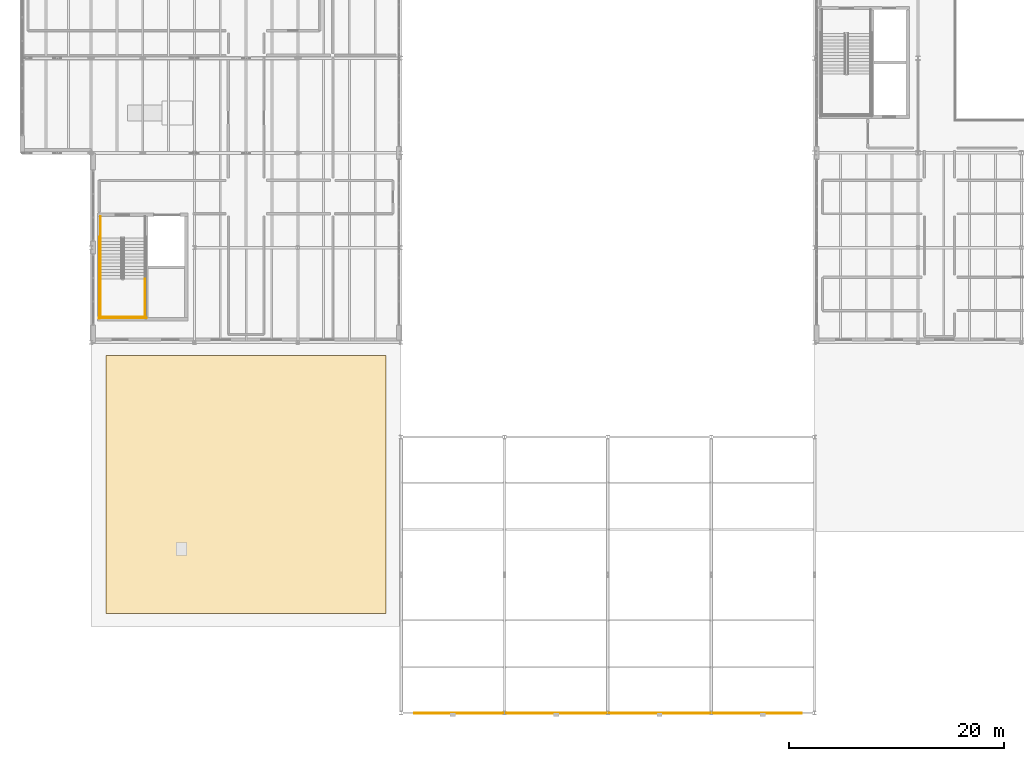
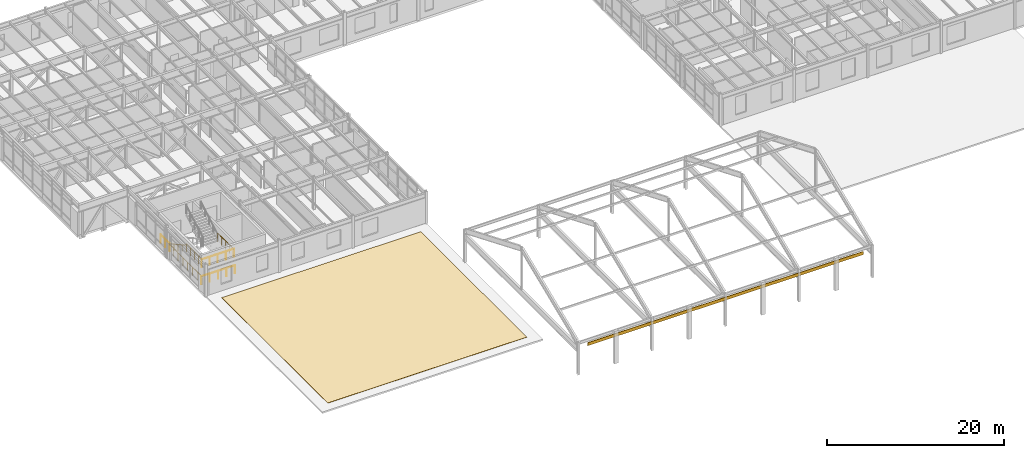
# One storey, part 78 of 88: 7 railings, 2 coverings.
"""IFC4 building model written with IfcOpenShell, lengths in metres."""

import ifcopenshell
import ifcopenshell.guid

model = None  # the IFC model being written
_history = None  # IfcOwnerHistory: only IFC2X3 demands one
_inside = {}  # id of a spatial element -> (the spatial element, [elements in it])
_under = {}  # id of a project, library or spatial element -> (it, [spatial elements below it])
_declared = {}  # id of a project -> (the project, [libraries it declares])
_typed = {}  # id of a type object -> (the type object, [elements of that type])
_made_of = {}  # id of a material, layer set ... -> (it, [elements and type objects made of it])


def new_model(schema):
    """Start an empty IFC model of exactly this schema.

    Asked for "IFC4X3", IfcOpenShell would pick the latest addendum, in which some entities
    have other attributes; the version numbers below select the first issue.
    IFC2X3 requires an IfcOwnerHistory on every rooted entity: one is made here for all.
    """
    global model, _history
    if schema == "IFC4X3":
        model = ifcopenshell.file(schema_version=(4, 3, 0, 0))
    else:
        model = ifcopenshell.file(schema=schema)
    _inside.clear()
    _under.clear()
    _declared.clear()
    _typed.clear()
    _made_of.clear()
    _history = None
    if model.schema == "IFC2X3":
        org = make("IfcOrganization", Name="unknown")
        user = make(
            "IfcPersonAndOrganization",
            ThePerson=make("IfcPerson", FamilyName="unknown"),
            TheOrganization=org,
        )
        app = make(
            "IfcApplication",
            ApplicationDeveloper=org,
            Version="unknown",
            ApplicationFullName="unknown",
            ApplicationIdentifier="unknown",
        )
        _history = make(
            "IfcOwnerHistory",
            OwningUser=user,
            OwningApplication=app,
            ChangeAction="ADDED",
            CreationDate=0,
        )
    return model


def make(cls, **values):
    """One entity of the class cls with the attributes given. An attribute that is None is left unset."""
    return model.create_entity(
        cls, **{name: value for name, value in values.items() if value is not None}
    )


def rooted(cls, **values):
    """An entity with a GlobalId (a new one), such as an element, a storey or a relation."""
    return make(cls, GlobalId=ifcopenshell.guid.new(), OwnerHistory=_history, **values)


def si_unit(unit_type, name, prefix=None):
    """IfcSIUnit, for example si_unit("LENGTHUNIT", "METRE", prefix="MILLI")."""
    return make("IfcSIUnit", UnitType=unit_type, Prefix=prefix, Name=name)


def assignment(units):
    """IfcUnitAssignment: the units of a project."""
    return None if units is None else make("IfcUnitAssignment", Units=units)


def point(xyz):
    """IfcCartesianPoint."""
    return None if xyz is None else make("IfcCartesianPoint", Coordinates=xyz)


def direction(xyz):
    """IfcDirection."""
    return None if xyz is None else make("IfcDirection", DirectionRatios=xyz)


def frame(location, z_axis=None, x_axis=None):
    """IfcAxis2Placement3D, a coordinate frame: its origin and axes. An axis left out is left unset."""
    return make(
        "IfcAxis2Placement3D",
        Location=point(location),
        Axis=direction(z_axis),
        RefDirection=direction(x_axis),
    )


def frame_2d(location, x_axis=None):
    """IfcAxis2Placement2D, a coordinate frame in the plane: its origin and x axis."""
    return make(
        "IfcAxis2Placement2D", Location=point(location), RefDirection=direction(x_axis)
    )


def origin():
    """The frame at (0, 0, 0) with its axes left unset."""
    return frame((0.0, 0.0, 0.0))


def origin_2d():
    """The frame at (0, 0) in the plane with its x axis left unset."""
    return frame_2d((0.0, 0.0))


def place(relative_to, where):
    """IfcLocalPlacement: puts the frame where relative to a parent placement (None: the world)."""
    return make(
        "IfcLocalPlacement", PlacementRelTo=relative_to, RelativePlacement=where
    )


def context(
    kind, dimensions, precision=None, world=None, true_north=None, identifier=None
):
    """IfcGeometricRepresentationContext, for example the 3D "Model" context."""
    return make(
        "IfcGeometricRepresentationContext",
        ContextIdentifier=identifier,
        ContextType=kind,
        CoordinateSpaceDimension=dimensions,
        Precision=precision,
        WorldCoordinateSystem=world,
        TrueNorth=true_north,
    )


def subcontext(parent, identifier, kind, view, scale=None):
    """IfcGeometricRepresentationSubContext, for example "Body" below "Model"."""
    return make(
        "IfcGeometricRepresentationSubContext",
        ContextIdentifier=identifier,
        ContextType=kind,
        ParentContext=parent,
        TargetScale=scale,
        TargetView=view,
    )


def project(units=None, contexts=None):
    """IfcProject with its units and contexts."""
    return rooted(
        "IfcProject",
        Name="project",
        RepresentationContexts=contexts,
        UnitsInContext=assignment(units),
    )


def spatial(cls, under=None, at=None, **own):
    """A site, building, storey or space (cls), placed at a placement, below another one or the project."""
    s = rooted(cls, ObjectPlacement=at, **own)
    if under is not None:
        _under.setdefault(under.id(), (under, []))[1].append(s)
    return s


def profile(cls, at=None, kind="AREA", **sizes):
    """A parametric profile (cls). Its sizes go by their IFC names, for example OverallWidth=200.0."""
    return make(cls, ProfileType=kind, Position=at, **sizes)


def rectangle(**sizes):
    """IfcRectangleProfileDef."""
    return profile("IfcRectangleProfileDef", **sizes)


def circle(**sizes):
    """IfcCircleProfileDef."""
    return profile("IfcCircleProfileDef", **sizes)


def extrude(swept, where, along, depth):
    """IfcExtrudedAreaSolid: the profile swept, set in the frame where, extruded along a direction by depth."""
    return make(
        "IfcExtrudedAreaSolid",
        SweptArea=swept,
        Position=where,
        ExtrudedDirection=direction(along),
        Depth=depth,
    )


def shape(context_of_items, identifier, shape_type, items):
    """IfcShapeRepresentation: the items that make up one representation, for example the "Body"."""
    return make(
        "IfcShapeRepresentation",
        ContextOfItems=context_of_items,
        RepresentationIdentifier=identifier,
        RepresentationType=shape_type,
        Items=items,
    )


def material(Name=None, Category=None):
    """IfcMaterial."""
    return make("IfcMaterial", Name=Name, Category=Category)


def layer(
    of_material, thickness, ventilated=None, Name=None, Category=None, Priority=None
):
    """IfcMaterialLayer: one layer of a wall or slab, of a material (None: an air gap)."""
    return make(
        "IfcMaterialLayer",
        Material=of_material,
        LayerThickness=thickness,
        IsVentilated=ventilated,
        Name=Name,
        Category=Category,
        Priority=Priority,
    )


def layer_set(layers, Name=None):
    """IfcMaterialLayerSet."""
    return make("IfcMaterialLayerSet", MaterialLayers=layers, LayerSetName=Name)


def made_of(thing, what):
    """Note that an element or type object is made of a material, layer set ...; save() writes the relation."""
    if what is not None:
        _made_of.setdefault(what.id(), (what, []))[1].append(thing)
    return thing


def type_object(cls, material=None, **own):
    """A type object (cls), such as IfcWallType, which elements share."""
    return made_of(rooted(cls, **own), material)


def element(
    cls,
    number,
    at=None,
    inside=None,
    cuts=None,
    type_object=None,
    material=None,
    context=None,
    identifier="Body",
    shape_type=None,
    held_by="IfcProductDefinitionShape",
    body=None,
    shapes=None,
    **own,
):
    """One element of the class cls, such as IfcWall. Its Tag is "e" and its number.

    at: its placement. inside: the storey or other place that contains it. cuts: it is an
    opening in that element (IfcRelVoidsElement). A single representation is given by context,
    identifier, shape_type and body (its items); several are given by shapes. held_by: the class
    of the entity that holds the representations. save() writes the other relations.
    """
    e = rooted(cls, Tag="e%d" % number, ObjectPlacement=at, **own)
    if body is not None:
        shapes = [shape(context, identifier, shape_type, body)]
    if shapes is not None:
        e.Representation = make(held_by, Representations=shapes)
    if inside is not None:
        _inside.setdefault(inside.id(), (inside, []))[1].append(e)
    if cuts is not None:
        rooted(
            "IfcRelVoidsElement", RelatingBuildingElement=cuts, RelatedOpeningElement=e
        )
    if type_object is not None:
        _typed.setdefault(type_object.id(), (type_object, []))[1].append(e)
    return made_of(e, material)


def aggregate(whole, parts):
    """IfcRelAggregates: a whole, such as a stair, and the parts it consists of."""
    return rooted("IfcRelAggregates", RelatingObject=whole, RelatedObjects=parts)


def save(model, path):
    """Write the relations noted so far, then the file.

    IfcRelAggregates (storeys below a building ...), IfcRelContainedInSpatialStructure (elements
    in a storey), IfcRelDefinesByType, IfcRelAssociatesMaterial and IfcRelDeclares: one each for
    every whole, place, type object, material and project.
    """
    for whole, parts in _under.values():
        aggregate(whole, parts)
    for where, things in _inside.values():
        rooted(
            "IfcRelContainedInSpatialStructure",
            RelatedElements=things,
            RelatingStructure=where,
        )
    for kind, things in _typed.values():
        rooted("IfcRelDefinesByType", RelatedObjects=things, RelatingType=kind)
    for what, things in _made_of.values():
        rooted("IfcRelAssociatesMaterial", RelatedObjects=things, RelatingMaterial=what)
    for by, libraries in _declared.values():
        rooted("IfcRelDeclares", RelatingContext=by, RelatedDefinitions=libraries)
    model.write(path)


model = new_model("IFC4")

# Units and contexts
model_context = context("Model", 3, precision=1e-05, world=origin(), true_north=direction((0.0, 1.0)))
body_context = subcontext(model_context, "Body", "Model", "MODEL_VIEW")
ifc_project = project(units=[si_unit("LENGTHUNIT", "METRE"), si_unit("AREAUNIT", "SQUARE_METRE"), si_unit("VOLUMEUNIT", "CUBIC_METRE"), si_unit("PLANEANGLEUNIT", "RADIAN"), si_unit("MASSUNIT", "GRAM", prefix="KILO")], contexts=[model_context])

# Site, building, storey
site_placement = place(None, origin())
site = spatial("IfcSite", under=ifc_project, at=site_placement, CompositionType="ELEMENT")
building_placement = place(site_placement, origin())
building = spatial("IfcBuilding", under=site, at=building_placement, Name="Sarnbrook Museum", CompositionType="ELEMENT")
storey_placement = place(building_placement, frame((0.0, 0.0, 10.10009765625)))
storey = spatial("IfcBuildingStorey", under=building, at=storey_placement, Name="L02", CompositionType="ELEMENT", Elevation=10.10009765625)

# Covering
ifc_material_1 = material(Name="Barrabool Sandstone Ashlar Cladding", Category="masonry")
ifc_layer_1 = layer(ifc_material_1, 0.074951171875)
ifc_layer_set_1 = layer_set([ifc_layer_1], Name="Barrabool Sandstone Ashlar Cladding")
covering_type_1 = type_object("IfcCoveringType", Name="Cladding_SandstoneCornice", PredefinedType="CLADDING", material=ifc_layer_set_1)
covering_1_placement = place(storey_placement, frame((61.60009765625, 4.764892578125, 3.5400390625), z_axis=(0.0, 0.0, 1.0), x_axis=(1.0, 0.0, 0.0)))
element("IfcCovering", 1, at=covering_1_placement, inside=storey, type_object=covering_type_1, Name="Classical Dressed Sandstone Entablature Cornice CL-1", PredefinedType="CLADDING", context=body_context, shape_type="SweptSolid", body=[
    extrude(rectangle(XDim=36.0, YDim=0.080078125, at=origin_2d()), origin(), (0.0, 0.0, 1.0), 0.419921875),
])

# Railings
ifc_material_2 = material(Name="Brushed Stainless Steel Grade 316", Category="steel")
ifc_layer_2 = layer(ifc_material_2, 0.050048828125)
ifc_layer_set_2 = layer_set([ifc_layer_2], Name="Brushed Stainless Steel Grade 316")
railing_type_1 = type_object("IfcRailingType", Name="Guard_Int1120", PredefinedType="BALUSTRADE", material=ifc_layer_set_2)
for number, where, name in (
    (2, (14.489990234375, 45.110107421875, 2.25), "L02 ST5 stair guard 3"),
    (3, (18.590087890625, 45.110107421875, 2.25), "L02 ST5 stair guard 4"),
):
    element("IfcRailing", number, at=place(storey_placement, frame(where)), inside=storey, type_object=railing_type_1, Name=name, PredefinedType="BALUSTRADE", context=body_context, shape_type="SweptSolid", body=[
        extrude(circle(Radius=0.02392578125, at=origin_2d()), frame((0.0, 0.0, 1.09619140625), z_axis=(0.0, -1.0, 0.0), x_axis=(1.0, 0.0, 0.0)), (0.0, 0.0, 1.0), 3.610107421875),
        extrude(circle(Radius=0.02099609375, at=origin_2d()), origin(), (0.0, 0.0, 1.0), 1.072021484375),
        extrude(circle(Radius=0.02099609375, at=origin_2d()), frame((0.0, -0.902587890625, 0.0)), (0.0, 0.0, 1.0), 1.072021484375),
        extrude(circle(Radius=0.02099609375, at=origin_2d()), frame((0.0, -1.80517578125, 0.0)), (0.0, 0.0, 1.0), 1.072021484375),
        extrude(circle(Radius=0.02099609375, at=origin_2d()), frame((0.0, -2.70751953125, 0.0)), (0.0, 0.0, 1.0), 1.072021484375),
        extrude(circle(Radius=0.02099609375, at=origin_2d()), frame((0.0, -3.610107421875, 0.0)), (0.0, 0.0, 1.0), 1.072021484375),
    ])
railing_1_placement = place(storey_placement, frame((14.43994140625, 41.550048828125, 2.25)))
element("IfcRailing", 4, at=railing_1_placement, inside=storey, type_object=railing_type_1, Name="L02 ST5 stair guard 5", PredefinedType="BALUSTRADE", context=body_context, shape_type="SweptSolid", body=[
    extrude(circle(Radius=0.02392578125, at=origin_2d()), frame((0.0, 0.0, 1.09619140625), z_axis=(1.0, 0.0, 0.0), x_axis=(0.0, 1.0, 0.0)), (0.0, 0.0, 1.0), 4.199951171875),
    extrude(circle(Radius=0.02099609375, at=origin_2d()), origin(), (0.0, 0.0, 1.0), 1.072021484375),
    extrude(circle(Radius=0.02099609375, at=origin_2d()), frame((1.050048828125, 0.0, 0.0)), (0.0, 0.0, 1.0), 1.072021484375),
    extrude(circle(Radius=0.02099609375, at=origin_2d()), frame((2.10009765625, 0.0, 0.0)), (0.0, 0.0, 1.0), 1.072021484375),
    extrude(circle(Radius=0.02099609375, at=origin_2d()), frame((3.14990234375, 0.0, 0.0)), (0.0, 0.0, 1.0), 1.072021484375),
    extrude(circle(Radius=0.02099609375, at=origin_2d()), frame((4.199951171875, 0.0, 0.0)), (0.0, 0.0, 1.0), 1.072021484375),
])
railing_2_placement = place(storey_placement, frame((14.489990234375, 50.89990234375, 0.0)))
element("IfcRailing", 5, at=railing_2_placement, inside=storey, type_object=railing_type_1, Name="L02 ST5 stair guard 8", PredefinedType="BALUSTRADE", context=body_context, shape_type="SweptSolid", body=[
    extrude(circle(Radius=0.02392578125, at=origin_2d()), frame((0.0, 0.0, 1.09619140625), z_axis=(0.0, -1.0, 0.0), x_axis=(1.0, 0.0, 0.0)), (0.0, 0.0, 1.0), 2.02001953125),
    extrude(circle(Radius=0.02099609375, at=origin_2d()), origin(), (0.0, 0.0, 1.0), 1.072021484375),
    extrude(circle(Radius=0.02099609375, at=origin_2d()), frame((0.0, -1.010009765625, 0.0)), (0.0, 0.0, 1.0), 1.072021484375),
    extrude(circle(Radius=0.02099609375, at=origin_2d()), frame((0.0, -2.02001953125, 0.0)), (0.0, 0.0, 1.0), 1.072021484375),
])
railing_3_placement = place(storey_placement, frame((14.389892578125, 48.97998046875, 0.0)))
element("IfcRailing", 6, at=railing_3_placement, inside=storey, type_object=railing_type_1, Name="L02 ST5 stair guard 10", PredefinedType="BALUSTRADE", context=body_context, shape_type="SweptSolid", body=[
    extrude(circle(Radius=0.02392578125, at=origin_2d()), frame((0.0, 0.0, 1.09619140625), z_axis=(0.0, -1.0, 0.0), x_axis=(1.0, 0.0, 0.0)), (0.0, 0.0, 1.0), 7.580078125),
    extrude(circle(Radius=0.02099609375, at=origin_2d()), origin(), (0.0, 0.0, 1.0), 1.072021484375),
    extrude(circle(Radius=0.02099609375, at=origin_2d()), frame((0.0, -1.082763671875, 0.0)), (0.0, 0.0, 1.0), 1.072021484375),
    extrude(circle(Radius=0.02099609375, at=origin_2d()), frame((0.0, -2.165771484375, 0.0)), (0.0, 0.0, 1.0), 1.072021484375),
    extrude(circle(Radius=0.02099609375, at=origin_2d()), frame((0.0, -3.24853515625, 0.0)), (0.0, 0.0, 1.0), 1.072021484375),
    extrude(circle(Radius=0.02099609375, at=origin_2d()), frame((0.0, -4.33154296875, 0.0)), (0.0, 0.0, 1.0), 1.072021484375),
    extrude(circle(Radius=0.02099609375, at=origin_2d()), frame((0.0, -5.414306640625, 0.0)), (0.0, 0.0, 1.0), 1.072021484375),
    extrude(circle(Radius=0.02099609375, at=origin_2d()), frame((0.0, -6.497314453125, 0.0)), (0.0, 0.0, 1.0), 1.072021484375),
    extrude(circle(Radius=0.02099609375, at=origin_2d()), frame((0.0, -7.580078125, 0.0)), (0.0, 0.0, 1.0), 1.072021484375),
])
railing_4_placement = place(storey_placement, frame((14.340087890625, 41.449951171875, 0.0)))
element("IfcRailing", 7, at=railing_4_placement, inside=storey, type_object=railing_type_1, Name="L02 ST5 stair guard 12", PredefinedType="BALUSTRADE", context=body_context, shape_type="SweptSolid", body=[
    extrude(circle(Radius=0.02392578125, at=origin_2d()), frame((0.0, 0.0, 1.09619140625), z_axis=(1.0, 0.0, 0.0), x_axis=(0.0, 1.0, 0.0)), (0.0, 0.0, 1.0), 4.39990234375),
    extrude(circle(Radius=0.02099609375, at=origin_2d()), origin(), (0.0, 0.0, 1.0), 1.072021484375),
    extrude(circle(Radius=0.02099609375, at=origin_2d()), frame((1.10009765625, 0.0, 0.0)), (0.0, 0.0, 1.0), 1.072021484375),
    extrude(circle(Radius=0.02099609375, at=origin_2d()), frame((2.199951171875, 0.0, 0.0)), (0.0, 0.0, 1.0), 1.072021484375),
    extrude(circle(Radius=0.02099609375, at=origin_2d()), frame((3.2998046875, 0.0, 0.0)), (0.0, 0.0, 1.0), 1.072021484375),
    extrude(circle(Radius=0.02099609375, at=origin_2d()), frame((4.39990234375, 0.0, 0.0)), (0.0, 0.0, 1.0), 1.072021484375),
])
ifc_layer_3 = layer(ifc_material_2, 0.048095703125)
ifc_layer_set_3 = layer_set([ifc_layer_3], Name="Brushed Stainless Steel Grade 316")
railing_type_2 = type_object("IfcRailingType", Name="Handrail_920", PredefinedType="HANDRAIL", material=ifc_layer_set_3)
railing_5_placement = place(storey_placement, frame((14.489990234375, 48.8798828125, 0.16064453125)))
element("IfcRailing", 8, at=railing_5_placement, inside=storey, type_object=railing_type_2, Name="L02 ST5 stair handrail 1", PredefinedType="HANDRAIL", context=body_context, shape_type="SweptSolid", body=[
    extrude(circle(Radius=0.02392578125, at=origin_2d()), frame((0.0, 0.0, 0.8857421875), z_axis=(0.0, -0.874645791573, 0.484762559697), x_axis=(1.0, 0.0, 0.0)), (0.0, 0.0, 1.0), 4.31005859375),
    extrude(circle(Radius=0.02099609375, at=origin_2d()), origin(), (0.0, 0.0, 1.0), 0.86181640625),
    extrude(circle(Radius=0.02099609375, at=origin_2d()), frame((0.0, -0.9423828125, 0.5224609375)), (0.0, 0.0, 1.0), 0.86181640625),
    extrude(circle(Radius=0.02099609375, at=origin_2d()), frame((0.0, -1.884765625, 1.044677734375)), (0.0, 0.0, 1.0), 0.86181640625),
    extrude(circle(Radius=0.02099609375, at=origin_2d()), frame((0.0, -2.827392578125, 1.56689453125)), (0.0, 0.0, 1.0), 0.86181640625),
    extrude(circle(Radius=0.02099609375, at=origin_2d()), frame((0.0, -3.769775390625, 2.08935546875)), (0.0, 0.0, 1.0), 0.86181640625),
])

# Covering
ifc_material_3 = material(Name="Standing-Seam Titanium Zinc Roofing")
ifc_layer_4 = layer(ifc_material_3, 0.034912109375)
ifc_layer_set_4 = layer_set([ifc_layer_4], Name="Standing-Seam Titanium Zinc Roofing")
covering_type_2 = type_object("IfcCoveringType", Name="Roofing_StandingSeamZinc", PredefinedType="ROOFING", material=ifc_layer_set_4)
covering_2_placement = place(storey_placement, frame((28.0, 26.0, 0.0), z_axis=(0.0, 0.0, 1.0), x_axis=(1.0, 0.0, 0.0)))
element("IfcCovering", 9, at=covering_2_placement, inside=storey, type_object=covering_type_2, Name="Standing-Seam Zinc Roof Covering ZC-3", PredefinedType="ROOFING", context=body_context, shape_type="SweptSolid", body=[
    extrude(rectangle(XDim=26.0, YDim=24.0, at=origin_2d()), origin(), (0.0, 0.0, 1.0), 0.034912109375),
])

save(model, "model.ifc")
